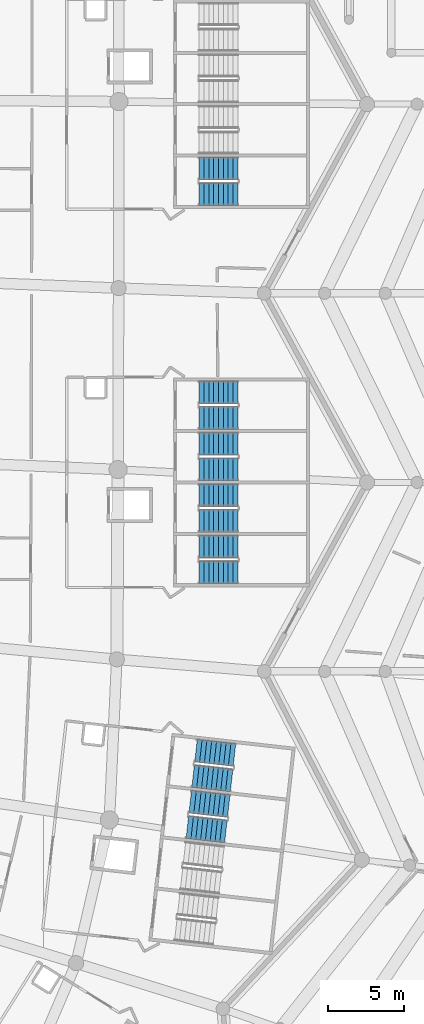
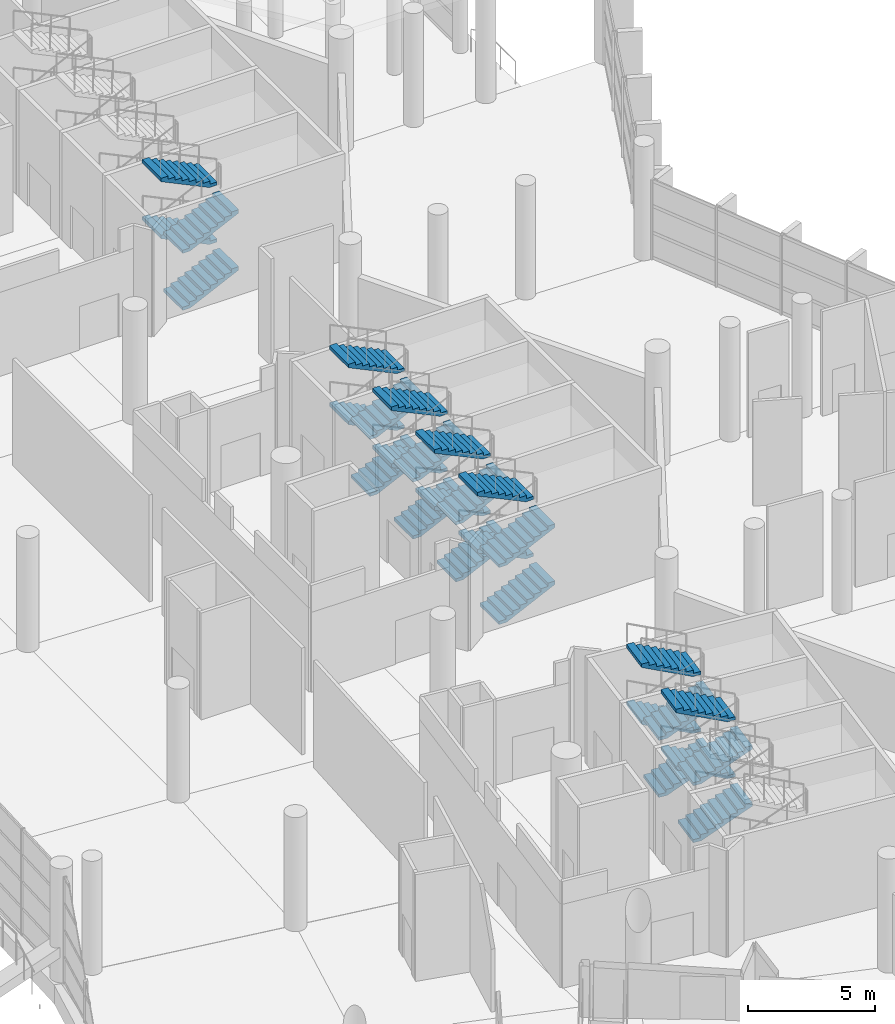
# One storey, part 212 of 271: 28 stair flights, 7 elements without a shape of their own.
"""IFC4 building model written with IfcOpenShell, lengths in metres."""

import ifcopenshell
import ifcopenshell.guid

model = None  # the IFC model being written
_history = None  # IfcOwnerHistory: only IFC2X3 demands one
_inside = {}  # id of a spatial element -> (the spatial element, [elements in it])
_under = {}  # id of a project, library or spatial element -> (it, [spatial elements below it])
_declared = {}  # id of a project -> (the project, [libraries it declares])
_typed = {}  # id of a type object -> (the type object, [elements of that type])
_made_of = {}  # id of a material, layer set ... -> (it, [elements and type objects made of it])


def new_model(schema):
    """Start an empty IFC model of exactly this schema.

    Asked for "IFC4X3", IfcOpenShell would pick the latest addendum, in which some entities
    have other attributes; the version numbers below select the first issue.
    IFC2X3 requires an IfcOwnerHistory on every rooted entity: one is made here for all.
    """
    global model, _history
    if schema == "IFC4X3":
        model = ifcopenshell.file(schema_version=(4, 3, 0, 0))
    else:
        model = ifcopenshell.file(schema=schema)
    _inside.clear()
    _under.clear()
    _declared.clear()
    _typed.clear()
    _made_of.clear()
    _history = None
    if model.schema == "IFC2X3":
        org = make("IfcOrganization", Name="unknown")
        user = make(
            "IfcPersonAndOrganization",
            ThePerson=make("IfcPerson", FamilyName="unknown"),
            TheOrganization=org,
        )
        app = make(
            "IfcApplication",
            ApplicationDeveloper=org,
            Version="unknown",
            ApplicationFullName="unknown",
            ApplicationIdentifier="unknown",
        )
        _history = make(
            "IfcOwnerHistory",
            OwningUser=user,
            OwningApplication=app,
            ChangeAction="ADDED",
            CreationDate=0,
        )
    return model


def make(cls, **values):
    """One entity of the class cls with the attributes given. An attribute that is None is left unset."""
    return model.create_entity(
        cls, **{name: value for name, value in values.items() if value is not None}
    )


def rooted(cls, **values):
    """An entity with a GlobalId (a new one), such as an element, a storey or a relation."""
    return make(cls, GlobalId=ifcopenshell.guid.new(), OwnerHistory=_history, **values)


def si_unit(unit_type, name, prefix=None):
    """IfcSIUnit, for example si_unit("LENGTHUNIT", "METRE", prefix="MILLI")."""
    return make("IfcSIUnit", UnitType=unit_type, Prefix=prefix, Name=name)


def assignment(units):
    """IfcUnitAssignment: the units of a project."""
    return None if units is None else make("IfcUnitAssignment", Units=units)


def point(xyz):
    """IfcCartesianPoint."""
    return None if xyz is None else make("IfcCartesianPoint", Coordinates=xyz)


def direction(xyz):
    """IfcDirection."""
    return None if xyz is None else make("IfcDirection", DirectionRatios=xyz)


def frame(location, z_axis=None, x_axis=None):
    """IfcAxis2Placement3D, a coordinate frame: its origin and axes. An axis left out is left unset."""
    return make(
        "IfcAxis2Placement3D",
        Location=point(location),
        Axis=direction(z_axis),
        RefDirection=direction(x_axis),
    )


def origin():
    """The frame at (0, 0, 0) with its axes left unset."""
    return frame((0.0, 0.0, 0.0))


def place(relative_to, where):
    """IfcLocalPlacement: puts the frame where relative to a parent placement (None: the world)."""
    return make(
        "IfcLocalPlacement", PlacementRelTo=relative_to, RelativePlacement=where
    )


def context(
    kind, dimensions, precision=None, world=None, true_north=None, identifier=None
):
    """IfcGeometricRepresentationContext, for example the 3D "Model" context."""
    return make(
        "IfcGeometricRepresentationContext",
        ContextIdentifier=identifier,
        ContextType=kind,
        CoordinateSpaceDimension=dimensions,
        Precision=precision,
        WorldCoordinateSystem=world,
        TrueNorth=true_north,
    )


def subcontext(parent, identifier, kind, view, scale=None):
    """IfcGeometricRepresentationSubContext, for example "Body" below "Model"."""
    return make(
        "IfcGeometricRepresentationSubContext",
        ContextIdentifier=identifier,
        ContextType=kind,
        ParentContext=parent,
        TargetScale=scale,
        TargetView=view,
    )


def project(units=None, contexts=None):
    """IfcProject with its units and contexts."""
    return rooted(
        "IfcProject",
        Name="project",
        RepresentationContexts=contexts,
        UnitsInContext=assignment(units),
    )


def spatial(cls, under=None, at=None, **own):
    """A site, building, storey or space (cls), placed at a placement, below another one or the project."""
    s = rooted(cls, ObjectPlacement=at, **own)
    if under is not None:
        _under.setdefault(under.id(), (under, []))[1].append(s)
    return s


def polyline(points):
    """IfcPolyline through the points."""
    return make("IfcPolyline", Points=[point(p) for p in points])


def outline(outer, holes=None, kind="AREA"):
    """IfcArbitraryClosedProfileDef: a profile drawn as a closed curve; with holes, ...WithVoids."""
    if holes is None:
        return make("IfcArbitraryClosedProfileDef", ProfileType=kind, OuterCurve=outer)
    return make(
        "IfcArbitraryProfileDefWithVoids",
        ProfileType=kind,
        OuterCurve=outer,
        InnerCurves=holes,
    )


def extrude(swept, where, along, depth):
    """IfcExtrudedAreaSolid: the profile swept, set in the frame where, extruded along a direction by depth."""
    return make(
        "IfcExtrudedAreaSolid",
        SweptArea=swept,
        Position=where,
        ExtrudedDirection=direction(along),
        Depth=depth,
    )


def shape(context_of_items, identifier, shape_type, items):
    """IfcShapeRepresentation: the items that make up one representation, for example the "Body"."""
    return make(
        "IfcShapeRepresentation",
        ContextOfItems=context_of_items,
        RepresentationIdentifier=identifier,
        RepresentationType=shape_type,
        Items=items,
    )


def material(Name=None, Category=None):
    """IfcMaterial."""
    return make("IfcMaterial", Name=Name, Category=Category)


def made_of(thing, what):
    """Note that an element or type object is made of a material, layer set ...; save() writes the relation."""
    if what is not None:
        _made_of.setdefault(what.id(), (what, []))[1].append(thing)
    return thing


def type_object(cls, material=None, **own):
    """A type object (cls), such as IfcWallType, which elements share."""
    return made_of(rooted(cls, **own), material)


def element(
    cls,
    number,
    at=None,
    inside=None,
    cuts=None,
    type_object=None,
    material=None,
    context=None,
    identifier="Body",
    shape_type=None,
    held_by="IfcProductDefinitionShape",
    body=None,
    shapes=None,
    **own,
):
    """One element of the class cls, such as IfcWall. Its Tag is "e" and its number.

    at: its placement. inside: the storey or other place that contains it. cuts: it is an
    opening in that element (IfcRelVoidsElement). A single representation is given by context,
    identifier, shape_type and body (its items); several are given by shapes. held_by: the class
    of the entity that holds the representations. save() writes the other relations.
    """
    e = rooted(cls, Tag="e%d" % number, ObjectPlacement=at, **own)
    if body is not None:
        shapes = [shape(context, identifier, shape_type, body)]
    if shapes is not None:
        e.Representation = make(held_by, Representations=shapes)
    if inside is not None:
        _inside.setdefault(inside.id(), (inside, []))[1].append(e)
    if cuts is not None:
        rooted(
            "IfcRelVoidsElement", RelatingBuildingElement=cuts, RelatedOpeningElement=e
        )
    if type_object is not None:
        _typed.setdefault(type_object.id(), (type_object, []))[1].append(e)
    return made_of(e, material)


def aggregate(whole, parts):
    """IfcRelAggregates: a whole, such as a stair, and the parts it consists of."""
    return rooted("IfcRelAggregates", RelatingObject=whole, RelatedObjects=parts)


def save(model, path):
    """Write the relations noted so far, then the file.

    IfcRelAggregates (storeys below a building ...), IfcRelContainedInSpatialStructure (elements
    in a storey), IfcRelDefinesByType, IfcRelAssociatesMaterial and IfcRelDeclares: one each for
    every whole, place, type object, material and project.
    """
    for whole, parts in _under.values():
        aggregate(whole, parts)
    for where, things in _inside.values():
        rooted(
            "IfcRelContainedInSpatialStructure",
            RelatedElements=things,
            RelatingStructure=where,
        )
    for kind, things in _typed.values():
        rooted("IfcRelDefinesByType", RelatedObjects=things, RelatingType=kind)
    for what, things in _made_of.values():
        rooted("IfcRelAssociatesMaterial", RelatedObjects=things, RelatingMaterial=what)
    for by, libraries in _declared.values():
        rooted("IfcRelDeclares", RelatingContext=by, RelatedDefinitions=libraries)
    model.write(path)


model = new_model("IFC4")

# Units and contexts
model_context = context("Model", 3, precision=1e-05, world=origin(), true_north=direction((0.0, 1.0)))
body_context = subcontext(model_context, "Body", "Model", "MODEL_VIEW")
ifc_project = project(units=[si_unit("LENGTHUNIT", "METRE"), si_unit("AREAUNIT", "SQUARE_METRE"), si_unit("VOLUMEUNIT", "CUBIC_METRE"), si_unit("PLANEANGLEUNIT", "RADIAN"), si_unit("MASSUNIT", "GRAM", prefix="KILO")], contexts=[model_context])

# Site, building, storey
site_placement = place(None, origin())
site = spatial("IfcSite", under=ifc_project, at=site_placement, CompositionType="ELEMENT")
building_placement = place(site_placement, origin())
building = spatial("IfcBuilding", under=site, at=building_placement, Name="Meseta Stadium", CompositionType="ELEMENT")
storey_placement = place(building_placement, frame((0.0, 0.0, 6.5)))
storey = spatial("IfcBuildingStorey", under=building, at=storey_placement, Name="L01", CompositionType="ELEMENT", Elevation=6.5)

# Stair, stair flights
ifc_material_1 = material(Name="Concrete C40/50", Category="concrete")
stair_type = type_object("IfcStairType", Name="Exit stair 4 flights 153 mm risers", PredefinedType="HALF_TURN_STAIR", material=ifc_material_1)
stair_1_placement = place(storey_placement, origin())
stair_1 = element("IfcStair", 1, at=stair_1_placement, inside=storey, type_object=stair_type, Name="ST3 L01", PredefinedType="HALF_TURN_STAIR")
ifc_material_2 = material(Name="Concrete C40/50", Category="concrete")
stair_flight_type = type_object("IfcStairFlightType", Name="Exit stair flight 153 mm risers, 4 per storey", PredefinedType="STRAIGHT", material=ifc_material_2)
stair_flight_1_placement = place(storey_placement, frame((89.5205078125, -54.048095703125, 0.0), z_axis=(0.0, 0.0, 1.0), x_axis=(0.993712210731, -0.11196446867, 0.0)))
stair_flight_1 = element("IfcStairFlight", 2, at=stair_flight_1_placement, type_object=stair_flight_type, Name="ST3 L01 flight 1", NumberOfRisers=9, NumberOfTreads=8, PredefinedType="STRAIGHT", RiserHeight=0.152777778, TreadLength=0.32, context=body_context, shape_type="SweptSolid", body=[
    extrude(outline(polyline([(0.0, 0.0), (0.0, 0.15283203125), (0.320068359375, 0.15283203125), (0.320068359375, 0.3056640625), (0.639892578125, 0.3056640625), (0.639892578125, 0.458251953125), (0.9599609375, 0.458251953125), (0.9599609375, 0.611083984375), (1.280029296875, 0.611083984375), (1.280029296875, 0.763916015625), (1.60009765625, 0.763916015625), (1.60009765625, 0.916748046875), (1.919921875, 0.916748046875), (1.919921875, 1.0693359375), (2.239990234375, 1.0693359375), (2.239990234375, 1.22216796875), (2.56005859375, 1.22216796875), (2.56005859375, 1.05615234375), (0.347900390625, 0.0), (0.0, 0.0)])), frame((0.0, 0.75, 0.0), z_axis=(0.0, -1.0, 0.0), x_axis=(1.0, 0.0, 0.0)), (0.0, 0.0, 1.0), 1.5),
])
stair_flight_2_placement = place(storey_placement, frame((92.254638671875, -52.6455078125, 1.375), z_axis=(0.0, 0.0, 1.0), x_axis=(-0.993712210731, 0.11196446867, 0.0)))
stair_flight_2 = element("IfcStairFlight", 3, at=stair_flight_2_placement, type_object=stair_flight_type, Name="ST3 L01 flight 2", NumberOfRisers=9, NumberOfTreads=8, PredefinedType="STRAIGHT", RiserHeight=0.152777778, TreadLength=0.32, context=body_context, shape_type="SweptSolid", body=[
    extrude(outline(polyline([(0.0, 0.0), (0.0, 0.15283203125), (0.320068359375, 0.15283203125), (0.320068359375, 0.3056640625), (0.639892578125, 0.3056640625), (0.639892578125, 0.458251953125), (0.9599609375, 0.458251953125), (0.9599609375, 0.611083984375), (1.280029296875, 0.611083984375), (1.280029296875, 0.763916015625), (1.60009765625, 0.763916015625), (1.60009765625, 0.916748046875), (1.919921875, 0.916748046875), (1.919921875, 1.0693359375), (2.239990234375, 1.0693359375), (2.239990234375, 1.22216796875), (2.56005859375, 1.22216796875), (2.56005859375, 1.05615234375), (0.347900390625, 0.0), (0.0, 0.0)])), frame((0.0, 0.75, 0.0), z_axis=(0.0, -1.0, 0.0), x_axis=(1.0, 0.0, 0.0)), (0.0, 0.0, 1.0), 1.5),
])
stair_flight_3_placement = place(storey_placement, frame((89.5205078125, -54.048095703125, 2.75), z_axis=(0.0, 0.0, 1.0), x_axis=(0.993712210731, -0.11196446867, 0.0)))
stair_flight_3 = element("IfcStairFlight", 4, at=stair_flight_3_placement, type_object=stair_flight_type, Name="ST3 L01 flight 3", NumberOfRisers=9, NumberOfTreads=8, PredefinedType="STRAIGHT", RiserHeight=0.152777778, TreadLength=0.32, context=body_context, shape_type="SweptSolid", body=[
    extrude(outline(polyline([(0.0, 0.0), (0.0, 0.15283203125), (0.320068359375, 0.15283203125), (0.320068359375, 0.3056640625), (0.639892578125, 0.3056640625), (0.639892578125, 0.458251953125), (0.9599609375, 0.458251953125), (0.9599609375, 0.611083984375), (1.280029296875, 0.611083984375), (1.280029296875, 0.763916015625), (1.60009765625, 0.763916015625), (1.60009765625, 0.916748046875), (1.919921875, 0.916748046875), (1.919921875, 1.0693359375), (2.239990234375, 1.0693359375), (2.239990234375, 1.22216796875), (2.56005859375, 1.22216796875), (2.56005859375, 1.05615234375), (0.347900390625, 0.0), (0.0, 0.0)])), frame((0.0, 0.75, 0.0), z_axis=(0.0, -1.0, 0.0), x_axis=(1.0, 0.0, 0.0)), (0.0, 0.0, 1.0), 1.5),
])
stair_flight_4_placement = place(storey_placement, frame((92.254638671875, -52.6455078125, 4.125), z_axis=(0.0, 0.0, 1.0), x_axis=(-0.993712210731, 0.11196446867, 0.0)))
stair_flight_4 = element("IfcStairFlight", 5, at=stair_flight_4_placement, type_object=stair_flight_type, Name="ST3 L01 flight 4", NumberOfRisers=9, NumberOfTreads=8, PredefinedType="STRAIGHT", RiserHeight=0.152777778, TreadLength=0.32, context=body_context, shape_type="SweptSolid", body=[
    extrude(outline(polyline([(0.0, 0.0), (0.0, 0.15283203125), (0.320068359375, 0.15283203125), (0.320068359375, 0.3056640625), (0.639892578125, 0.3056640625), (0.639892578125, 0.458251953125), (0.9599609375, 0.458251953125), (0.9599609375, 0.611083984375), (1.280029296875, 0.611083984375), (1.280029296875, 0.763916015625), (1.60009765625, 0.763916015625), (1.60009765625, 0.916748046875), (1.919921875, 0.916748046875), (1.919921875, 1.0693359375), (2.239990234375, 1.0693359375), (2.239990234375, 1.22216796875), (2.56005859375, 1.22216796875), (2.56005859375, 1.05615234375), (0.347900390625, 0.0), (0.0, 0.0)])), frame((0.0, 0.75, 0.0), z_axis=(0.0, -1.0, 0.0), x_axis=(1.0, 0.0, 0.0)), (0.0, 0.0, 1.0), 1.5),
])
aggregate(stair_1, [stair_flight_1, stair_flight_2, stair_flight_3, stair_flight_4])

stair_2_placement = place(storey_placement, origin())
stair_2 = element("IfcStair", 6, at=stair_2_placement, inside=storey, type_object=stair_type, Name="ST4 L01", PredefinedType="HALF_TURN_STAIR")
stair_flight_5_placement = place(storey_placement, frame((89.901123046875, -50.669677734375, 0.0), z_axis=(0.0, 0.0, 1.0), x_axis=(0.993712210731, -0.11196446867, 0.0)))
stair_flight_5 = element("IfcStairFlight", 7, at=stair_flight_5_placement, type_object=stair_flight_type, Name="ST4 L01 flight 1", NumberOfRisers=9, NumberOfTreads=8, PredefinedType="STRAIGHT", RiserHeight=0.152777778, TreadLength=0.32, context=body_context, shape_type="SweptSolid", body=[
    extrude(outline(polyline([(0.0, 0.0), (0.0, 0.15283203125), (0.320068359375, 0.15283203125), (0.320068359375, 0.3056640625), (0.639892578125, 0.3056640625), (0.639892578125, 0.458251953125), (0.9599609375, 0.458251953125), (0.9599609375, 0.611083984375), (1.280029296875, 0.611083984375), (1.280029296875, 0.763916015625), (1.60009765625, 0.763916015625), (1.60009765625, 0.916748046875), (1.919921875, 0.916748046875), (1.919921875, 1.0693359375), (2.239990234375, 1.0693359375), (2.239990234375, 1.22216796875), (2.56005859375, 1.22216796875), (2.56005859375, 1.05615234375), (0.347900390625, 0.0), (0.0, 0.0)])), frame((0.0, 0.75, 0.0), z_axis=(0.0, -1.0, 0.0), x_axis=(1.0, 0.0, 0.0)), (0.0, 0.0, 1.0), 1.5),
])
stair_flight_6_placement = place(storey_placement, frame((92.63525390625, -49.266845703125, 1.375), z_axis=(0.0, 0.0, 1.0), x_axis=(-0.993712210731, 0.11196446867, 0.0)))
stair_flight_6 = element("IfcStairFlight", 8, at=stair_flight_6_placement, type_object=stair_flight_type, Name="ST4 L01 flight 2", NumberOfRisers=9, NumberOfTreads=8, PredefinedType="STRAIGHT", RiserHeight=0.152777778, TreadLength=0.32, context=body_context, shape_type="SweptSolid", body=[
    extrude(outline(polyline([(0.0, 0.0), (0.0, 0.15283203125), (0.320068359375, 0.15283203125), (0.320068359375, 0.3056640625), (0.639892578125, 0.3056640625), (0.639892578125, 0.458251953125), (0.9599609375, 0.458251953125), (0.9599609375, 0.611083984375), (1.280029296875, 0.611083984375), (1.280029296875, 0.763916015625), (1.60009765625, 0.763916015625), (1.60009765625, 0.916748046875), (1.919921875, 0.916748046875), (1.919921875, 1.0693359375), (2.239990234375, 1.0693359375), (2.239990234375, 1.22216796875), (2.56005859375, 1.22216796875), (2.56005859375, 1.05615234375), (0.347900390625, 0.0), (0.0, 0.0)])), frame((0.0, 0.75, 0.0), z_axis=(0.0, -1.0, 0.0), x_axis=(1.0, 0.0, 0.0)), (0.0, 0.0, 1.0), 1.5),
])
stair_flight_7_placement = place(storey_placement, frame((89.901123046875, -50.669677734375, 2.75), z_axis=(0.0, 0.0, 1.0), x_axis=(0.993712210731, -0.11196446867, 0.0)))
stair_flight_7 = element("IfcStairFlight", 9, at=stair_flight_7_placement, type_object=stair_flight_type, Name="ST4 L01 flight 3", NumberOfRisers=9, NumberOfTreads=8, PredefinedType="STRAIGHT", RiserHeight=0.152777778, TreadLength=0.32, context=body_context, shape_type="SweptSolid", body=[
    extrude(outline(polyline([(0.0, 0.0), (0.0, 0.15283203125), (0.320068359375, 0.15283203125), (0.320068359375, 0.3056640625), (0.639892578125, 0.3056640625), (0.639892578125, 0.458251953125), (0.9599609375, 0.458251953125), (0.9599609375, 0.611083984375), (1.280029296875, 0.611083984375), (1.280029296875, 0.763916015625), (1.60009765625, 0.763916015625), (1.60009765625, 0.916748046875), (1.919921875, 0.916748046875), (1.919921875, 1.0693359375), (2.239990234375, 1.0693359375), (2.239990234375, 1.22216796875), (2.56005859375, 1.22216796875), (2.56005859375, 1.05615234375), (0.347900390625, 0.0), (0.0, 0.0)])), frame((0.0, 0.75, 0.0), z_axis=(0.0, -1.0, 0.0), x_axis=(1.0, 0.0, 0.0)), (0.0, 0.0, 1.0), 1.5),
])
stair_flight_8_placement = place(storey_placement, frame((92.63525390625, -49.266845703125, 4.125), z_axis=(0.0, 0.0, 1.0), x_axis=(-0.993712210731, 0.11196446867, 0.0)))
stair_flight_8 = element("IfcStairFlight", 10, at=stair_flight_8_placement, type_object=stair_flight_type, Name="ST4 L01 flight 4", NumberOfRisers=9, NumberOfTreads=8, PredefinedType="STRAIGHT", RiserHeight=0.152777778, TreadLength=0.32, context=body_context, shape_type="SweptSolid", body=[
    extrude(outline(polyline([(0.0, 0.0), (0.0, 0.15283203125), (0.320068359375, 0.15283203125), (0.320068359375, 0.3056640625), (0.639892578125, 0.3056640625), (0.639892578125, 0.458251953125), (0.9599609375, 0.458251953125), (0.9599609375, 0.611083984375), (1.280029296875, 0.611083984375), (1.280029296875, 0.763916015625), (1.60009765625, 0.763916015625), (1.60009765625, 0.916748046875), (1.919921875, 0.916748046875), (1.919921875, 1.0693359375), (2.239990234375, 1.0693359375), (2.239990234375, 1.22216796875), (2.56005859375, 1.22216796875), (2.56005859375, 1.05615234375), (0.347900390625, 0.0), (0.0, 0.0)])), frame((0.0, 0.75, 0.0), z_axis=(0.0, -1.0, 0.0), x_axis=(1.0, 0.0, 0.0)), (0.0, 0.0, 1.0), 1.5),
])
aggregate(stair_2, [stair_flight_5, stair_flight_6, stair_flight_7, stair_flight_8])

stair_3_placement = place(storey_placement, origin())
stair_3 = element("IfcStair", 11, at=stair_3_placement, inside=storey, type_object=stair_type, Name="ST5 L01", PredefinedType="HALF_TURN_STAIR")
stair_flight_9_placement = place(storey_placement, frame((90.300048828125, -37.199951171875, 0.0), z_axis=(0.0, 0.0, 1.0), x_axis=(1.0, 0.0, 0.0)))
stair_flight_9 = element("IfcStairFlight", 12, at=stair_flight_9_placement, type_object=stair_flight_type, Name="ST5 L01 flight 1", NumberOfRisers=9, NumberOfTreads=8, PredefinedType="STRAIGHT", RiserHeight=0.152777778, TreadLength=0.32, context=body_context, shape_type="SweptSolid", body=[
    extrude(outline(polyline([(0.0, 0.0), (0.0, 0.15283203125), (0.320068359375, 0.15283203125), (0.320068359375, 0.3056640625), (0.639892578125, 0.3056640625), (0.639892578125, 0.458251953125), (0.9599609375, 0.458251953125), (0.9599609375, 0.611083984375), (1.280029296875, 0.611083984375), (1.280029296875, 0.763916015625), (1.60009765625, 0.763916015625), (1.60009765625, 0.916748046875), (1.919921875, 0.916748046875), (1.919921875, 1.0693359375), (2.239990234375, 1.0693359375), (2.239990234375, 1.22216796875), (2.56005859375, 1.22216796875), (2.56005859375, 1.05615234375), (0.347900390625, 0.0), (0.0, 0.0)])), frame((0.0, 0.75, 0.0), z_axis=(0.0, -1.0, 0.0), x_axis=(1.0, 0.0, 0.0)), (0.0, 0.0, 1.0), 1.5),
])
stair_flight_10_placement = place(storey_placement, frame((92.860107421875, -35.5, 1.375), z_axis=(0.0, 0.0, 1.0), x_axis=(-1.0, 0.0, 0.0)))
stair_flight_10 = element("IfcStairFlight", 13, at=stair_flight_10_placement, type_object=stair_flight_type, Name="ST5 L01 flight 2", NumberOfRisers=9, NumberOfTreads=8, PredefinedType="STRAIGHT", RiserHeight=0.152777778, TreadLength=0.32, context=body_context, shape_type="SweptSolid", body=[
    extrude(outline(polyline([(0.0, 0.0), (0.0, 0.15283203125), (0.320068359375, 0.15283203125), (0.320068359375, 0.3056640625), (0.639892578125, 0.3056640625), (0.639892578125, 0.458251953125), (0.9599609375, 0.458251953125), (0.9599609375, 0.611083984375), (1.280029296875, 0.611083984375), (1.280029296875, 0.763916015625), (1.60009765625, 0.763916015625), (1.60009765625, 0.916748046875), (1.919921875, 0.916748046875), (1.919921875, 1.0693359375), (2.239990234375, 1.0693359375), (2.239990234375, 1.22216796875), (2.56005859375, 1.22216796875), (2.56005859375, 1.05615234375), (0.347900390625, 0.0), (0.0, 0.0)])), frame((0.0, 0.75, 0.0), z_axis=(0.0, -1.0, 0.0), x_axis=(1.0, 0.0, 0.0)), (0.0, 0.0, 1.0), 1.5),
])
stair_flight_11_placement = place(storey_placement, frame((90.300048828125, -37.199951171875, 2.75), z_axis=(0.0, 0.0, 1.0), x_axis=(1.0, 0.0, 0.0)))
stair_flight_11 = element("IfcStairFlight", 14, at=stair_flight_11_placement, type_object=stair_flight_type, Name="ST5 L01 flight 3", NumberOfRisers=9, NumberOfTreads=8, PredefinedType="STRAIGHT", RiserHeight=0.152777778, TreadLength=0.32, context=body_context, shape_type="SweptSolid", body=[
    extrude(outline(polyline([(0.0, 0.0), (0.0, 0.15283203125), (0.320068359375, 0.15283203125), (0.320068359375, 0.3056640625), (0.639892578125, 0.3056640625), (0.639892578125, 0.458251953125), (0.9599609375, 0.458251953125), (0.9599609375, 0.611083984375), (1.280029296875, 0.611083984375), (1.280029296875, 0.763916015625), (1.60009765625, 0.763916015625), (1.60009765625, 0.916748046875), (1.919921875, 0.916748046875), (1.919921875, 1.0693359375), (2.239990234375, 1.0693359375), (2.239990234375, 1.22216796875), (2.56005859375, 1.22216796875), (2.56005859375, 1.05615234375), (0.347900390625, 0.0), (0.0, 0.0)])), frame((0.0, 0.75, 0.0), z_axis=(0.0, -1.0, 0.0), x_axis=(1.0, 0.0, 0.0)), (0.0, 0.0, 1.0), 1.5),
])
stair_flight_12_placement = place(storey_placement, frame((92.860107421875, -35.5, 4.125), z_axis=(0.0, 0.0, 1.0), x_axis=(-1.0, 0.0, 0.0)))
stair_flight_12 = element("IfcStairFlight", 15, at=stair_flight_12_placement, type_object=stair_flight_type, Name="ST5 L01 flight 4", NumberOfRisers=9, NumberOfTreads=8, PredefinedType="STRAIGHT", RiserHeight=0.152777778, TreadLength=0.32, context=body_context, shape_type="SweptSolid", body=[
    extrude(outline(polyline([(0.0, 0.0), (0.0, 0.15283203125), (0.320068359375, 0.15283203125), (0.320068359375, 0.3056640625), (0.639892578125, 0.3056640625), (0.639892578125, 0.458251953125), (0.9599609375, 0.458251953125), (0.9599609375, 0.611083984375), (1.280029296875, 0.611083984375), (1.280029296875, 0.763916015625), (1.60009765625, 0.763916015625), (1.60009765625, 0.916748046875), (1.919921875, 0.916748046875), (1.919921875, 1.0693359375), (2.239990234375, 1.0693359375), (2.239990234375, 1.22216796875), (2.56005859375, 1.22216796875), (2.56005859375, 1.05615234375), (0.347900390625, 0.0), (0.0, 0.0)])), frame((0.0, 0.75, 0.0), z_axis=(0.0, -1.0, 0.0), x_axis=(1.0, 0.0, 0.0)), (0.0, 0.0, 1.0), 1.5),
])
aggregate(stair_3, [stair_flight_9, stair_flight_10, stair_flight_11, stair_flight_12])

stair_4_placement = place(storey_placement, origin())
stair_4 = element("IfcStair", 16, at=stair_4_placement, inside=storey, type_object=stair_type, Name="ST6 L01", PredefinedType="HALF_TURN_STAIR")
stair_flight_13_placement = place(storey_placement, frame((90.300048828125, -33.800048828125, 0.0), z_axis=(0.0, 0.0, 1.0), x_axis=(1.0, 0.0, 0.0)))
stair_flight_13 = element("IfcStairFlight", 17, at=stair_flight_13_placement, type_object=stair_flight_type, Name="ST6 L01 flight 1", NumberOfRisers=9, NumberOfTreads=8, PredefinedType="STRAIGHT", RiserHeight=0.152777778, TreadLength=0.32, context=body_context, shape_type="SweptSolid", body=[
    extrude(outline(polyline([(0.0, 0.0), (0.0, 0.15283203125), (0.320068359375, 0.15283203125), (0.320068359375, 0.3056640625), (0.639892578125, 0.3056640625), (0.639892578125, 0.458251953125), (0.9599609375, 0.458251953125), (0.9599609375, 0.611083984375), (1.280029296875, 0.611083984375), (1.280029296875, 0.763916015625), (1.60009765625, 0.763916015625), (1.60009765625, 0.916748046875), (1.919921875, 0.916748046875), (1.919921875, 1.0693359375), (2.239990234375, 1.0693359375), (2.239990234375, 1.22216796875), (2.56005859375, 1.22216796875), (2.56005859375, 1.05615234375), (0.347900390625, 0.0), (0.0, 0.0)])), frame((0.0, 0.75, 0.0), z_axis=(0.0, -1.0, 0.0), x_axis=(1.0, 0.0, 0.0)), (0.0, 0.0, 1.0), 1.5),
])
stair_flight_14_placement = place(storey_placement, frame((92.860107421875, -32.10009765625, 1.375), z_axis=(0.0, 0.0, 1.0), x_axis=(-1.0, 0.0, 0.0)))
stair_flight_14 = element("IfcStairFlight", 18, at=stair_flight_14_placement, type_object=stair_flight_type, Name="ST6 L01 flight 2", NumberOfRisers=9, NumberOfTreads=8, PredefinedType="STRAIGHT", RiserHeight=0.152777778, TreadLength=0.32, context=body_context, shape_type="SweptSolid", body=[
    extrude(outline(polyline([(0.0, 0.0), (0.0, 0.15283203125), (0.320068359375, 0.15283203125), (0.320068359375, 0.3056640625), (0.639892578125, 0.3056640625), (0.639892578125, 0.458251953125), (0.9599609375, 0.458251953125), (0.9599609375, 0.611083984375), (1.280029296875, 0.611083984375), (1.280029296875, 0.763916015625), (1.60009765625, 0.763916015625), (1.60009765625, 0.916748046875), (1.919921875, 0.916748046875), (1.919921875, 1.0693359375), (2.239990234375, 1.0693359375), (2.239990234375, 1.22216796875), (2.56005859375, 1.22216796875), (2.56005859375, 1.05615234375), (0.347900390625, 0.0), (0.0, 0.0)])), frame((0.0, 0.75, 0.0), z_axis=(0.0, -1.0, 0.0), x_axis=(1.0, 0.0, 0.0)), (0.0, 0.0, 1.0), 1.5),
])
stair_flight_15_placement = place(storey_placement, frame((90.300048828125, -33.800048828125, 2.75), z_axis=(0.0, 0.0, 1.0), x_axis=(1.0, 0.0, 0.0)))
stair_flight_15 = element("IfcStairFlight", 19, at=stair_flight_15_placement, type_object=stair_flight_type, Name="ST6 L01 flight 3", NumberOfRisers=9, NumberOfTreads=8, PredefinedType="STRAIGHT", RiserHeight=0.152777778, TreadLength=0.32, context=body_context, shape_type="SweptSolid", body=[
    extrude(outline(polyline([(0.0, 0.0), (0.0, 0.15283203125), (0.320068359375, 0.15283203125), (0.320068359375, 0.3056640625), (0.639892578125, 0.3056640625), (0.639892578125, 0.458251953125), (0.9599609375, 0.458251953125), (0.9599609375, 0.611083984375), (1.280029296875, 0.611083984375), (1.280029296875, 0.763916015625), (1.60009765625, 0.763916015625), (1.60009765625, 0.916748046875), (1.919921875, 0.916748046875), (1.919921875, 1.0693359375), (2.239990234375, 1.0693359375), (2.239990234375, 1.22216796875), (2.56005859375, 1.22216796875), (2.56005859375, 1.05615234375), (0.347900390625, 0.0), (0.0, 0.0)])), frame((0.0, 0.75, 0.0), z_axis=(0.0, -1.0, 0.0), x_axis=(1.0, 0.0, 0.0)), (0.0, 0.0, 1.0), 1.5),
])
stair_flight_16_placement = place(storey_placement, frame((92.860107421875, -32.10009765625, 4.125), z_axis=(0.0, 0.0, 1.0), x_axis=(-1.0, 0.0, 0.0)))
stair_flight_16 = element("IfcStairFlight", 20, at=stair_flight_16_placement, type_object=stair_flight_type, Name="ST6 L01 flight 4", NumberOfRisers=9, NumberOfTreads=8, PredefinedType="STRAIGHT", RiserHeight=0.152777778, TreadLength=0.32, context=body_context, shape_type="SweptSolid", body=[
    extrude(outline(polyline([(0.0, 0.0), (0.0, 0.15283203125), (0.320068359375, 0.15283203125), (0.320068359375, 0.3056640625), (0.639892578125, 0.3056640625), (0.639892578125, 0.458251953125), (0.9599609375, 0.458251953125), (0.9599609375, 0.611083984375), (1.280029296875, 0.611083984375), (1.280029296875, 0.763916015625), (1.60009765625, 0.763916015625), (1.60009765625, 0.916748046875), (1.919921875, 0.916748046875), (1.919921875, 1.0693359375), (2.239990234375, 1.0693359375), (2.239990234375, 1.22216796875), (2.56005859375, 1.22216796875), (2.56005859375, 1.05615234375), (0.347900390625, 0.0), (0.0, 0.0)])), frame((0.0, 0.75, 0.0), z_axis=(0.0, -1.0, 0.0), x_axis=(1.0, 0.0, 0.0)), (0.0, 0.0, 1.0), 1.5),
])
aggregate(stair_4, [stair_flight_13, stair_flight_14, stair_flight_15, stair_flight_16])

stair_5_placement = place(storey_placement, origin())
stair_5 = element("IfcStair", 21, at=stair_5_placement, inside=storey, type_object=stair_type, Name="ST7 L01", PredefinedType="HALF_TURN_STAIR")
stair_flight_17_placement = place(storey_placement, frame((90.300048828125, -30.39990234375, 0.0), z_axis=(0.0, 0.0, 1.0), x_axis=(1.0, 0.0, 0.0)))
stair_flight_17 = element("IfcStairFlight", 22, at=stair_flight_17_placement, type_object=stair_flight_type, Name="ST7 L01 flight 1", NumberOfRisers=9, NumberOfTreads=8, PredefinedType="STRAIGHT", RiserHeight=0.152777778, TreadLength=0.32, context=body_context, shape_type="SweptSolid", body=[
    extrude(outline(polyline([(0.0, 0.0), (0.0, 0.15283203125), (0.320068359375, 0.15283203125), (0.320068359375, 0.3056640625), (0.639892578125, 0.3056640625), (0.639892578125, 0.458251953125), (0.9599609375, 0.458251953125), (0.9599609375, 0.611083984375), (1.280029296875, 0.611083984375), (1.280029296875, 0.763916015625), (1.60009765625, 0.763916015625), (1.60009765625, 0.916748046875), (1.919921875, 0.916748046875), (1.919921875, 1.0693359375), (2.239990234375, 1.0693359375), (2.239990234375, 1.22216796875), (2.56005859375, 1.22216796875), (2.56005859375, 1.05615234375), (0.347900390625, 0.0), (0.0, 0.0)])), frame((0.0, 0.75, 0.0), z_axis=(0.0, -1.0, 0.0), x_axis=(1.0, 0.0, 0.0)), (0.0, 0.0, 1.0), 1.5),
])
stair_flight_18_placement = place(storey_placement, frame((92.860107421875, -28.699951171875, 1.375), z_axis=(0.0, 0.0, 1.0), x_axis=(-1.0, 0.0, 0.0)))
stair_flight_18 = element("IfcStairFlight", 23, at=stair_flight_18_placement, type_object=stair_flight_type, Name="ST7 L01 flight 2", NumberOfRisers=9, NumberOfTreads=8, PredefinedType="STRAIGHT", RiserHeight=0.152777778, TreadLength=0.32, context=body_context, shape_type="SweptSolid", body=[
    extrude(outline(polyline([(0.0, 0.0), (0.0, 0.15283203125), (0.320068359375, 0.15283203125), (0.320068359375, 0.3056640625), (0.639892578125, 0.3056640625), (0.639892578125, 0.458251953125), (0.9599609375, 0.458251953125), (0.9599609375, 0.611083984375), (1.280029296875, 0.611083984375), (1.280029296875, 0.763916015625), (1.60009765625, 0.763916015625), (1.60009765625, 0.916748046875), (1.919921875, 0.916748046875), (1.919921875, 1.0693359375), (2.239990234375, 1.0693359375), (2.239990234375, 1.22216796875), (2.56005859375, 1.22216796875), (2.56005859375, 1.05615234375), (0.347900390625, 0.0), (0.0, 0.0)])), frame((0.0, 0.75, 0.0), z_axis=(0.0, -1.0, 0.0), x_axis=(1.0, 0.0, 0.0)), (0.0, 0.0, 1.0), 1.5),
])
stair_flight_19_placement = place(storey_placement, frame((90.300048828125, -30.39990234375, 2.75), z_axis=(0.0, 0.0, 1.0), x_axis=(1.0, 0.0, 0.0)))
stair_flight_19 = element("IfcStairFlight", 24, at=stair_flight_19_placement, type_object=stair_flight_type, Name="ST7 L01 flight 3", NumberOfRisers=9, NumberOfTreads=8, PredefinedType="STRAIGHT", RiserHeight=0.152777778, TreadLength=0.32, context=body_context, shape_type="SweptSolid", body=[
    extrude(outline(polyline([(0.0, 0.0), (0.0, 0.15283203125), (0.320068359375, 0.15283203125), (0.320068359375, 0.3056640625), (0.639892578125, 0.3056640625), (0.639892578125, 0.458251953125), (0.9599609375, 0.458251953125), (0.9599609375, 0.611083984375), (1.280029296875, 0.611083984375), (1.280029296875, 0.763916015625), (1.60009765625, 0.763916015625), (1.60009765625, 0.916748046875), (1.919921875, 0.916748046875), (1.919921875, 1.0693359375), (2.239990234375, 1.0693359375), (2.239990234375, 1.22216796875), (2.56005859375, 1.22216796875), (2.56005859375, 1.05615234375), (0.347900390625, 0.0), (0.0, 0.0)])), frame((0.0, 0.75, 0.0), z_axis=(0.0, -1.0, 0.0), x_axis=(1.0, 0.0, 0.0)), (0.0, 0.0, 1.0), 1.5),
])
stair_flight_20_placement = place(storey_placement, frame((92.860107421875, -28.699951171875, 4.125), z_axis=(0.0, 0.0, 1.0), x_axis=(-1.0, 0.0, 0.0)))
stair_flight_20 = element("IfcStairFlight", 25, at=stair_flight_20_placement, type_object=stair_flight_type, Name="ST7 L01 flight 4", NumberOfRisers=9, NumberOfTreads=8, PredefinedType="STRAIGHT", RiserHeight=0.152777778, TreadLength=0.32, context=body_context, shape_type="SweptSolid", body=[
    extrude(outline(polyline([(0.0, 0.0), (0.0, 0.15283203125), (0.320068359375, 0.15283203125), (0.320068359375, 0.3056640625), (0.639892578125, 0.3056640625), (0.639892578125, 0.458251953125), (0.9599609375, 0.458251953125), (0.9599609375, 0.611083984375), (1.280029296875, 0.611083984375), (1.280029296875, 0.763916015625), (1.60009765625, 0.763916015625), (1.60009765625, 0.916748046875), (1.919921875, 0.916748046875), (1.919921875, 1.0693359375), (2.239990234375, 1.0693359375), (2.239990234375, 1.22216796875), (2.56005859375, 1.22216796875), (2.56005859375, 1.05615234375), (0.347900390625, 0.0), (0.0, 0.0)])), frame((0.0, 0.75, 0.0), z_axis=(0.0, -1.0, 0.0), x_axis=(1.0, 0.0, 0.0)), (0.0, 0.0, 1.0), 1.5),
])
aggregate(stair_5, [stair_flight_17, stair_flight_18, stair_flight_19, stair_flight_20])

stair_6_placement = place(storey_placement, origin())
stair_6 = element("IfcStair", 26, at=stair_6_placement, inside=storey, type_object=stair_type, Name="ST8 L01", PredefinedType="HALF_TURN_STAIR")
stair_flight_21_placement = place(storey_placement, frame((90.300048828125, -27.0, 0.0), z_axis=(0.0, 0.0, 1.0), x_axis=(1.0, 0.0, 0.0)))
stair_flight_21 = element("IfcStairFlight", 27, at=stair_flight_21_placement, type_object=stair_flight_type, Name="ST8 L01 flight 1", NumberOfRisers=9, NumberOfTreads=8, PredefinedType="STRAIGHT", RiserHeight=0.152777778, TreadLength=0.32, context=body_context, shape_type="SweptSolid", body=[
    extrude(outline(polyline([(0.0, 0.0), (0.0, 0.15283203125), (0.320068359375, 0.15283203125), (0.320068359375, 0.3056640625), (0.639892578125, 0.3056640625), (0.639892578125, 0.458251953125), (0.9599609375, 0.458251953125), (0.9599609375, 0.611083984375), (1.280029296875, 0.611083984375), (1.280029296875, 0.763916015625), (1.60009765625, 0.763916015625), (1.60009765625, 0.916748046875), (1.919921875, 0.916748046875), (1.919921875, 1.0693359375), (2.239990234375, 1.0693359375), (2.239990234375, 1.22216796875), (2.56005859375, 1.22216796875), (2.56005859375, 1.05615234375), (0.347900390625, 0.0), (0.0, 0.0)])), frame((0.0, 0.75, 0.0), z_axis=(0.0, -1.0, 0.0), x_axis=(1.0, 0.0, 0.0)), (0.0, 0.0, 1.0), 1.5),
])
stair_flight_22_placement = place(storey_placement, frame((92.860107421875, -25.300048828125, 1.375), z_axis=(0.0, 0.0, 1.0), x_axis=(-1.0, 0.0, 0.0)))
stair_flight_22 = element("IfcStairFlight", 28, at=stair_flight_22_placement, type_object=stair_flight_type, Name="ST8 L01 flight 2", NumberOfRisers=9, NumberOfTreads=8, PredefinedType="STRAIGHT", RiserHeight=0.152777778, TreadLength=0.32, context=body_context, shape_type="SweptSolid", body=[
    extrude(outline(polyline([(0.0, 0.0), (0.0, 0.15283203125), (0.320068359375, 0.15283203125), (0.320068359375, 0.3056640625), (0.639892578125, 0.3056640625), (0.639892578125, 0.458251953125), (0.9599609375, 0.458251953125), (0.9599609375, 0.611083984375), (1.280029296875, 0.611083984375), (1.280029296875, 0.763916015625), (1.60009765625, 0.763916015625), (1.60009765625, 0.916748046875), (1.919921875, 0.916748046875), (1.919921875, 1.0693359375), (2.239990234375, 1.0693359375), (2.239990234375, 1.22216796875), (2.56005859375, 1.22216796875), (2.56005859375, 1.05615234375), (0.347900390625, 0.0), (0.0, 0.0)])), frame((0.0, 0.75, 0.0), z_axis=(0.0, -1.0, 0.0), x_axis=(1.0, 0.0, 0.0)), (0.0, 0.0, 1.0), 1.5),
])
stair_flight_23_placement = place(storey_placement, frame((90.300048828125, -27.0, 2.75), z_axis=(0.0, 0.0, 1.0), x_axis=(1.0, 0.0, 0.0)))
stair_flight_23 = element("IfcStairFlight", 29, at=stair_flight_23_placement, type_object=stair_flight_type, Name="ST8 L01 flight 3", NumberOfRisers=9, NumberOfTreads=8, PredefinedType="STRAIGHT", RiserHeight=0.152777778, TreadLength=0.32, context=body_context, shape_type="SweptSolid", body=[
    extrude(outline(polyline([(0.0, 0.0), (0.0, 0.15283203125), (0.320068359375, 0.15283203125), (0.320068359375, 0.3056640625), (0.639892578125, 0.3056640625), (0.639892578125, 0.458251953125), (0.9599609375, 0.458251953125), (0.9599609375, 0.611083984375), (1.280029296875, 0.611083984375), (1.280029296875, 0.763916015625), (1.60009765625, 0.763916015625), (1.60009765625, 0.916748046875), (1.919921875, 0.916748046875), (1.919921875, 1.0693359375), (2.239990234375, 1.0693359375), (2.239990234375, 1.22216796875), (2.56005859375, 1.22216796875), (2.56005859375, 1.05615234375), (0.347900390625, 0.0), (0.0, 0.0)])), frame((0.0, 0.75, 0.0), z_axis=(0.0, -1.0, 0.0), x_axis=(1.0, 0.0, 0.0)), (0.0, 0.0, 1.0), 1.5),
])
stair_flight_24_placement = place(storey_placement, frame((92.860107421875, -25.300048828125, 4.125), z_axis=(0.0, 0.0, 1.0), x_axis=(-1.0, 0.0, 0.0)))
stair_flight_24 = element("IfcStairFlight", 30, at=stair_flight_24_placement, type_object=stair_flight_type, Name="ST8 L01 flight 4", NumberOfRisers=9, NumberOfTreads=8, PredefinedType="STRAIGHT", RiserHeight=0.152777778, TreadLength=0.32, context=body_context, shape_type="SweptSolid", body=[
    extrude(outline(polyline([(0.0, 0.0), (0.0, 0.15283203125), (0.320068359375, 0.15283203125), (0.320068359375, 0.3056640625), (0.639892578125, 0.3056640625), (0.639892578125, 0.458251953125), (0.9599609375, 0.458251953125), (0.9599609375, 0.611083984375), (1.280029296875, 0.611083984375), (1.280029296875, 0.763916015625), (1.60009765625, 0.763916015625), (1.60009765625, 0.916748046875), (1.919921875, 0.916748046875), (1.919921875, 1.0693359375), (2.239990234375, 1.0693359375), (2.239990234375, 1.22216796875), (2.56005859375, 1.22216796875), (2.56005859375, 1.05615234375), (0.347900390625, 0.0), (0.0, 0.0)])), frame((0.0, 0.75, 0.0), z_axis=(0.0, -1.0, 0.0), x_axis=(1.0, 0.0, 0.0)), (0.0, 0.0, 1.0), 1.5),
])
aggregate(stair_6, [stair_flight_21, stair_flight_22, stair_flight_23, stair_flight_24])

stair_7_placement = place(storey_placement, origin())
stair_7 = element("IfcStair", 31, at=stair_7_placement, inside=storey, type_object=stair_type, Name="ST9 L01", PredefinedType="HALF_TURN_STAIR")
stair_flight_25_placement = place(storey_placement, frame((90.300048828125, -12.199951171875, 0.0), z_axis=(0.0, 0.0, 1.0), x_axis=(1.0, 0.0, 0.0)))
stair_flight_25 = element("IfcStairFlight", 32, at=stair_flight_25_placement, type_object=stair_flight_type, Name="ST9 L01 flight 1", NumberOfRisers=9, NumberOfTreads=8, PredefinedType="STRAIGHT", RiserHeight=0.152777778, TreadLength=0.32, context=body_context, shape_type="SweptSolid", body=[
    extrude(outline(polyline([(0.0, 0.0), (0.0, 0.15283203125), (0.320068359375, 0.15283203125), (0.320068359375, 0.3056640625), (0.639892578125, 0.3056640625), (0.639892578125, 0.458251953125), (0.9599609375, 0.458251953125), (0.9599609375, 0.611083984375), (1.280029296875, 0.611083984375), (1.280029296875, 0.763916015625), (1.60009765625, 0.763916015625), (1.60009765625, 0.916748046875), (1.919921875, 0.916748046875), (1.919921875, 1.0693359375), (2.239990234375, 1.0693359375), (2.239990234375, 1.22216796875), (2.56005859375, 1.22216796875), (2.56005859375, 1.05615234375), (0.347900390625, 0.0), (0.0, 0.0)])), frame((0.0, 0.75, 0.0), z_axis=(0.0, -1.0, 0.0), x_axis=(1.0, 0.0, 0.0)), (0.0, 0.0, 1.0), 1.5),
])
stair_flight_26_placement = place(storey_placement, frame((92.860107421875, -10.5, 1.375), z_axis=(0.0, 0.0, 1.0), x_axis=(-1.0, 0.0, 0.0)))
stair_flight_26 = element("IfcStairFlight", 33, at=stair_flight_26_placement, type_object=stair_flight_type, Name="ST9 L01 flight 2", NumberOfRisers=9, NumberOfTreads=8, PredefinedType="STRAIGHT", RiserHeight=0.152777778, TreadLength=0.32, context=body_context, shape_type="SweptSolid", body=[
    extrude(outline(polyline([(0.0, 0.0), (0.0, 0.15283203125), (0.320068359375, 0.15283203125), (0.320068359375, 0.3056640625), (0.639892578125, 0.3056640625), (0.639892578125, 0.458251953125), (0.9599609375, 0.458251953125), (0.9599609375, 0.611083984375), (1.280029296875, 0.611083984375), (1.280029296875, 0.763916015625), (1.60009765625, 0.763916015625), (1.60009765625, 0.916748046875), (1.919921875, 0.916748046875), (1.919921875, 1.0693359375), (2.239990234375, 1.0693359375), (2.239990234375, 1.22216796875), (2.56005859375, 1.22216796875), (2.56005859375, 1.05615234375), (0.347900390625, 0.0), (0.0, 0.0)])), frame((0.0, 0.75, 0.0), z_axis=(0.0, -1.0, 0.0), x_axis=(1.0, 0.0, 0.0)), (0.0, 0.0, 1.0), 1.5),
])
stair_flight_27_placement = place(storey_placement, frame((90.300048828125, -12.199951171875, 2.75), z_axis=(0.0, 0.0, 1.0), x_axis=(1.0, 0.0, 0.0)))
stair_flight_27 = element("IfcStairFlight", 34, at=stair_flight_27_placement, type_object=stair_flight_type, Name="ST9 L01 flight 3", NumberOfRisers=9, NumberOfTreads=8, PredefinedType="STRAIGHT", RiserHeight=0.152777778, TreadLength=0.32, context=body_context, shape_type="SweptSolid", body=[
    extrude(outline(polyline([(0.0, 0.0), (0.0, 0.15283203125), (0.320068359375, 0.15283203125), (0.320068359375, 0.3056640625), (0.639892578125, 0.3056640625), (0.639892578125, 0.458251953125), (0.9599609375, 0.458251953125), (0.9599609375, 0.611083984375), (1.280029296875, 0.611083984375), (1.280029296875, 0.763916015625), (1.60009765625, 0.763916015625), (1.60009765625, 0.916748046875), (1.919921875, 0.916748046875), (1.919921875, 1.0693359375), (2.239990234375, 1.0693359375), (2.239990234375, 1.22216796875), (2.56005859375, 1.22216796875), (2.56005859375, 1.05615234375), (0.347900390625, 0.0), (0.0, 0.0)])), frame((0.0, 0.75, 0.0), z_axis=(0.0, -1.0, 0.0), x_axis=(1.0, 0.0, 0.0)), (0.0, 0.0, 1.0), 1.5),
])
stair_flight_28_placement = place(storey_placement, frame((92.860107421875, -10.5, 4.125), z_axis=(0.0, 0.0, 1.0), x_axis=(-1.0, 0.0, 0.0)))
stair_flight_28 = element("IfcStairFlight", 35, at=stair_flight_28_placement, type_object=stair_flight_type, Name="ST9 L01 flight 4", NumberOfRisers=9, NumberOfTreads=8, PredefinedType="STRAIGHT", RiserHeight=0.152777778, TreadLength=0.32, context=body_context, shape_type="SweptSolid", body=[
    extrude(outline(polyline([(0.0, 0.0), (0.0, 0.15283203125), (0.320068359375, 0.15283203125), (0.320068359375, 0.3056640625), (0.639892578125, 0.3056640625), (0.639892578125, 0.458251953125), (0.9599609375, 0.458251953125), (0.9599609375, 0.611083984375), (1.280029296875, 0.611083984375), (1.280029296875, 0.763916015625), (1.60009765625, 0.763916015625), (1.60009765625, 0.916748046875), (1.919921875, 0.916748046875), (1.919921875, 1.0693359375), (2.239990234375, 1.0693359375), (2.239990234375, 1.22216796875), (2.56005859375, 1.22216796875), (2.56005859375, 1.05615234375), (0.347900390625, 0.0), (0.0, 0.0)])), frame((0.0, 0.75, 0.0), z_axis=(0.0, -1.0, 0.0), x_axis=(1.0, 0.0, 0.0)), (0.0, 0.0, 1.0), 1.5),
])
aggregate(stair_7, [stair_flight_25, stair_flight_26, stair_flight_27, stair_flight_28])

save(model, "model.ifc")
